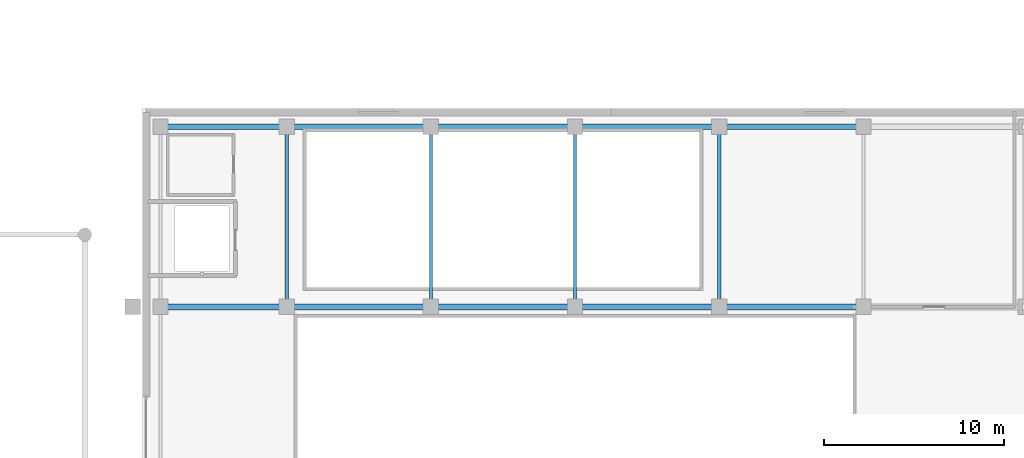
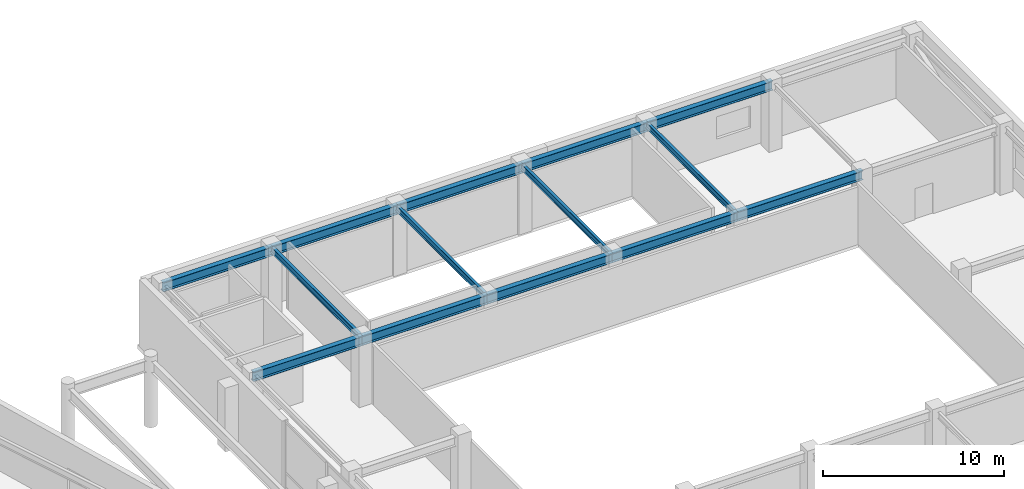
# One storey, part 21 of 36: 14 beams.
"""IFC4 building model written with IfcOpenShell, lengths in metres."""

from ifc_helpers import new_model, si_unit, direction, frame, origin, origin_2d, place, context, subcontext, project, spatial, i_section, extrude, material, material_profile, profile_set, type_object, element, save


model = new_model("IFC4")

# Units and contexts
model_context = context("Model", 3, precision=1e-05, world=origin(), true_north=direction((0.0, 1.0)))
body_context = subcontext(model_context, "Body", "Model", "MODEL_VIEW")
ifc_project = project(units=[si_unit("LENGTHUNIT", "METRE"), si_unit("AREAUNIT", "SQUARE_METRE"), si_unit("VOLUMEUNIT", "CUBIC_METRE"), si_unit("PLANEANGLEUNIT", "RADIAN"), si_unit("MASSUNIT", "GRAM", prefix="KILO")], contexts=[model_context])

# Site, building, storey
site_placement = place(None, origin())
site = spatial("IfcSite", under=ifc_project, at=site_placement, CompositionType="ELEMENT")
building_placement = place(site_placement, origin())
building = spatial("IfcBuilding", under=site, at=building_placement, Name="Kazevale Care Tower and Concert Hall", CompositionType="ELEMENT")
storey_placement = place(building_placement, frame((0.0, 0.0, 14.39990234375)))
storey = spatial("IfcBuildingStorey", under=building, at=storey_placement, Name="L03", CompositionType="ELEMENT", Elevation=14.39990234375)

# Beams
ifc_material = material(Name="Steel ASTM A572 Gr 50", Category="steel")
ifc_material_profile_1 = material_profile(ifc_material, i_section(OverallWidth=0.323974609375, OverallDepth=0.611083984375, WebThickness=0.0126953125, FlangeThickness=0.01904296875, at=origin_2d()), Name="W610x155")
ifc_profile_set_1 = profile_set([ifc_material_profile_1], Name="Steel ASTM A572 Gr 50")
beam_type_1 = type_object("IfcBeamType", Name="Concert Hall Frame Girder W610x155", PredefinedType="BEAM", material=ifc_profile_set_1)
beam_1_placement = place(storey_placement, frame((97.0, 47.0, 4.214599609375), z_axis=(1.0, 0.0, 0.0), x_axis=(0.0, 1.0, 0.0)))
element("IfcBeam", 1, at=beam_1_placement, inside=storey, type_object=beam_type_1, Name="beam:L03:hx:97_47", PredefinedType="BEAM", context=body_context, shape_type="SweptSolid", body=[
    extrude(i_section(OverallWidth=0.323974609375, OverallDepth=0.611083984375, WebThickness=0.0126953125, FlangeThickness=0.01904296875, at=origin_2d()), origin(), (0.0, 0.0, 1.0), 7.0),
])
for number, where, z_axis, x_axis, name in (
    (2, (104.0, 47.0, 4.214599609375), (1.0, 0.0, 0.0), (0.0, 1.0, 0.0), "beam:L03:hx:104_47"),
    (3, (112.0, 47.0, 4.214599609375), (1.0, 0.0, 0.0), (0.0, 1.0, 0.0), "beam:L03:hx:112_47"),
    (4, (120.0, 47.0, 4.214599609375), (1.0, 0.0, 0.0), (0.0, 1.0, 0.0), "beam:L03:hx:120_47"),
    (5, (128.0, 47.0, 4.214599609375), (1.0, 0.0, 0.0), (0.0, 1.0, 0.0), "beam:L03:hx:128_47"),
):
    element("IfcBeam", number, at=place(storey_placement, frame(where, z_axis=z_axis, x_axis=x_axis)), inside=storey, type_object=beam_type_1, Name=name, PredefinedType="BEAM", context=body_context, shape_type="SweptSolid", body=[
        extrude(i_section(OverallWidth=0.323974609375, OverallDepth=0.611083984375, WebThickness=0.0126953125, FlangeThickness=0.01904296875, at=origin_2d()), origin(), (0.0, 0.0, 1.0), 8.0),
    ])
beam_2_placement = place(storey_placement, frame((97.0, 57.0, 4.214599609375), z_axis=(1.0, 0.0, 0.0), x_axis=(0.0, 1.0, 0.0)))
element("IfcBeam", 6, at=beam_2_placement, inside=storey, type_object=beam_type_1, Name="beam:L03:hx:97_57", PredefinedType="BEAM", context=body_context, shape_type="SweptSolid", body=[
    extrude(i_section(OverallWidth=0.323974609375, OverallDepth=0.611083984375, WebThickness=0.0126953125, FlangeThickness=0.01904296875, at=origin_2d()), origin(), (0.0, 0.0, 1.0), 7.0),
])
for number, where, z_axis, x_axis, name in (
    (7, (104.0, 57.0, 4.214599609375), (1.0, 0.0, 0.0), (0.0, 1.0, 0.0), "beam:L03:hx:104_57"),
    (8, (112.0, 57.0, 4.214599609375), (1.0, 0.0, 0.0), (0.0, 1.0, 0.0), "beam:L03:hx:112_57"),
    (9, (120.0, 57.0, 4.214599609375), (1.0, 0.0, 0.0), (0.0, 1.0, 0.0), "beam:L03:hx:120_57"),
    (10, (128.0, 57.0, 4.214599609375), (1.0, 0.0, 0.0), (0.0, 1.0, 0.0), "beam:L03:hx:128_57"),
):
    element("IfcBeam", number, at=place(storey_placement, frame(where, z_axis=z_axis, x_axis=x_axis)), inside=storey, type_object=beam_type_1, Name=name, PredefinedType="BEAM", context=body_context, shape_type="SweptSolid", body=[
        extrude(i_section(OverallWidth=0.323974609375, OverallDepth=0.611083984375, WebThickness=0.0126953125, FlangeThickness=0.01904296875, at=origin_2d()), origin(), (0.0, 0.0, 1.0), 8.0),
    ])
ifc_material_profile_2 = material_profile(ifc_material, i_section(OverallWidth=0.180908203125, OverallDepth=0.4169921875, WebThickness=0.010986328125, FlangeThickness=0.018310546875, at=origin_2d()), Name="W410x85")
ifc_profile_set_2 = profile_set([ifc_material_profile_2], Name="Steel ASTM A572 Gr 50")
beam_type_2 = type_object("IfcBeamType", Name="Concert Hall Secondary Beam W410x85", PredefinedType="BEAM", material=ifc_profile_set_2)
for number, where, z_axis, x_axis, name in (
    (11, (104.0, 47.0, 4.3115234375), (0.0, 1.0, 0.0), (-1.0, 0.0, 0.0), "beam:L03:hy:104_47"),
    (12, (112.0, 47.0, 4.3115234375), (0.0, 1.0, 0.0), (-1.0, 0.0, 0.0), "beam:L03:hy:112_47"),
    (13, (120.0, 47.0, 4.3115234375), (0.0, 1.0, 0.0), (-1.0, 0.0, 0.0), "beam:L03:hy:120_47"),
    (14, (128.0, 47.0, 4.3115234375), (0.0, 1.0, 0.0), (-1.0, 0.0, 0.0), "beam:L03:hy:128_47"),
):
    element("IfcBeam", number, at=place(storey_placement, frame(where, z_axis=z_axis, x_axis=x_axis)), inside=storey, type_object=beam_type_2, Name=name, PredefinedType="BEAM", context=body_context, shape_type="SweptSolid", body=[
        extrude(i_section(OverallWidth=0.180908203125, OverallDepth=0.4169921875, WebThickness=0.010986328125, FlangeThickness=0.018310546875, at=origin_2d()), origin(), (0.0, 0.0, 1.0), 10.0),
    ])

save(model, "model.ifc")
